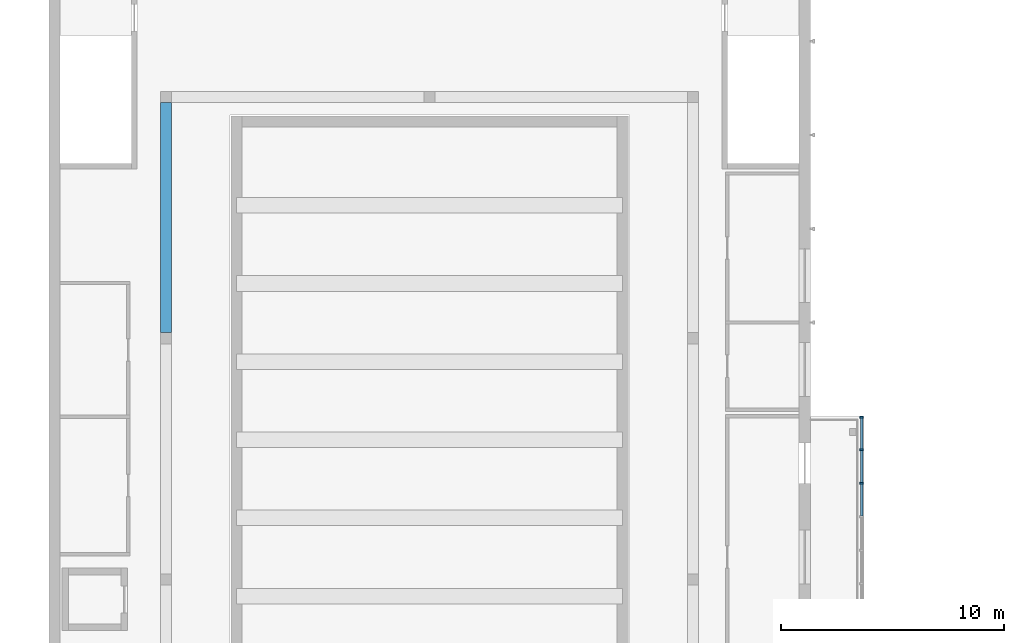
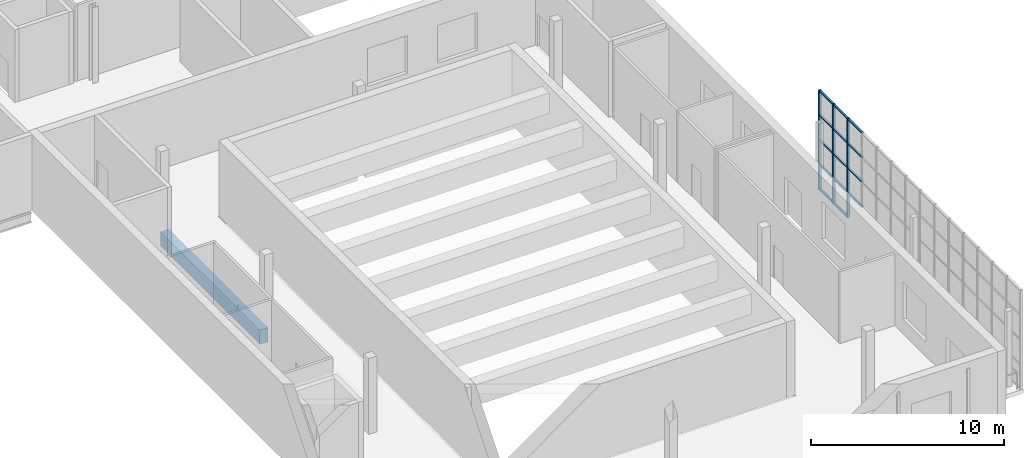
# One storey, part 17 of 116: 17 members, 1 beam, 1 element without a shape of its own.
"""IFC4 building model written with IfcOpenShell, lengths in metres."""

import ifcopenshell
import ifcopenshell.guid

model = None  # the IFC model being written
_history = None  # IfcOwnerHistory: only IFC2X3 demands one
_inside = {}  # id of a spatial element -> (the spatial element, [elements in it])
_under = {}  # id of a project, library or spatial element -> (it, [spatial elements below it])
_declared = {}  # id of a project -> (the project, [libraries it declares])
_typed = {}  # id of a type object -> (the type object, [elements of that type])
_made_of = {}  # id of a material, layer set ... -> (it, [elements and type objects made of it])


def new_model(schema):
    """Start an empty IFC model of exactly this schema.

    Asked for "IFC4X3", IfcOpenShell would pick the latest addendum, in which some entities
    have other attributes; the version numbers below select the first issue.
    IFC2X3 requires an IfcOwnerHistory on every rooted entity: one is made here for all.
    """
    global model, _history
    if schema == "IFC4X3":
        model = ifcopenshell.file(schema_version=(4, 3, 0, 0))
    else:
        model = ifcopenshell.file(schema=schema)
    _inside.clear()
    _under.clear()
    _declared.clear()
    _typed.clear()
    _made_of.clear()
    _history = None
    if model.schema == "IFC2X3":
        org = make("IfcOrganization", Name="unknown")
        user = make(
            "IfcPersonAndOrganization",
            ThePerson=make("IfcPerson", FamilyName="unknown"),
            TheOrganization=org,
        )
        app = make(
            "IfcApplication",
            ApplicationDeveloper=org,
            Version="unknown",
            ApplicationFullName="unknown",
            ApplicationIdentifier="unknown",
        )
        _history = make(
            "IfcOwnerHistory",
            OwningUser=user,
            OwningApplication=app,
            ChangeAction="ADDED",
            CreationDate=0,
        )
    return model


def make(cls, **values):
    """One entity of the class cls with the attributes given. An attribute that is None is left unset."""
    return model.create_entity(
        cls, **{name: value for name, value in values.items() if value is not None}
    )


def rooted(cls, **values):
    """An entity with a GlobalId (a new one), such as an element, a storey or a relation."""
    return make(cls, GlobalId=ifcopenshell.guid.new(), OwnerHistory=_history, **values)


def si_unit(unit_type, name, prefix=None):
    """IfcSIUnit, for example si_unit("LENGTHUNIT", "METRE", prefix="MILLI")."""
    return make("IfcSIUnit", UnitType=unit_type, Prefix=prefix, Name=name)


def assignment(units):
    """IfcUnitAssignment: the units of a project."""
    return None if units is None else make("IfcUnitAssignment", Units=units)


def point(xyz):
    """IfcCartesianPoint."""
    return None if xyz is None else make("IfcCartesianPoint", Coordinates=xyz)


def direction(xyz):
    """IfcDirection."""
    return None if xyz is None else make("IfcDirection", DirectionRatios=xyz)


def frame(location, z_axis=None, x_axis=None):
    """IfcAxis2Placement3D, a coordinate frame: its origin and axes. An axis left out is left unset."""
    return make(
        "IfcAxis2Placement3D",
        Location=point(location),
        Axis=direction(z_axis),
        RefDirection=direction(x_axis),
    )


def frame_2d(location, x_axis=None):
    """IfcAxis2Placement2D, a coordinate frame in the plane: its origin and x axis."""
    return make(
        "IfcAxis2Placement2D", Location=point(location), RefDirection=direction(x_axis)
    )


def origin():
    """The frame at (0, 0, 0) with its axes left unset."""
    return frame((0.0, 0.0, 0.0))


def origin_2d():
    """The frame at (0, 0) in the plane with its x axis left unset."""
    return frame_2d((0.0, 0.0))


def place(relative_to, where):
    """IfcLocalPlacement: puts the frame where relative to a parent placement (None: the world)."""
    return make(
        "IfcLocalPlacement", PlacementRelTo=relative_to, RelativePlacement=where
    )


def context(
    kind, dimensions, precision=None, world=None, true_north=None, identifier=None
):
    """IfcGeometricRepresentationContext, for example the 3D "Model" context."""
    return make(
        "IfcGeometricRepresentationContext",
        ContextIdentifier=identifier,
        ContextType=kind,
        CoordinateSpaceDimension=dimensions,
        Precision=precision,
        WorldCoordinateSystem=world,
        TrueNorth=true_north,
    )


def subcontext(parent, identifier, kind, view, scale=None):
    """IfcGeometricRepresentationSubContext, for example "Body" below "Model"."""
    return make(
        "IfcGeometricRepresentationSubContext",
        ContextIdentifier=identifier,
        ContextType=kind,
        ParentContext=parent,
        TargetScale=scale,
        TargetView=view,
    )


def project(units=None, contexts=None):
    """IfcProject with its units and contexts."""
    return rooted(
        "IfcProject",
        Name="project",
        RepresentationContexts=contexts,
        UnitsInContext=assignment(units),
    )


def spatial(cls, under=None, at=None, **own):
    """A site, building, storey or space (cls), placed at a placement, below another one or the project."""
    s = rooted(cls, ObjectPlacement=at, **own)
    if under is not None:
        _under.setdefault(under.id(), (under, []))[1].append(s)
    return s


def profile(cls, at=None, kind="AREA", **sizes):
    """A parametric profile (cls). Its sizes go by their IFC names, for example OverallWidth=200.0."""
    return make(cls, ProfileType=kind, Position=at, **sizes)


def rectangle(**sizes):
    """IfcRectangleProfileDef."""
    return profile("IfcRectangleProfileDef", **sizes)


def extrude(swept, where, along, depth):
    """IfcExtrudedAreaSolid: the profile swept, set in the frame where, extruded along a direction by depth."""
    return make(
        "IfcExtrudedAreaSolid",
        SweptArea=swept,
        Position=where,
        ExtrudedDirection=direction(along),
        Depth=depth,
    )


def shape(context_of_items, identifier, shape_type, items):
    """IfcShapeRepresentation: the items that make up one representation, for example the "Body"."""
    return make(
        "IfcShapeRepresentation",
        ContextOfItems=context_of_items,
        RepresentationIdentifier=identifier,
        RepresentationType=shape_type,
        Items=items,
    )


def material(Name=None, Category=None):
    """IfcMaterial."""
    return make("IfcMaterial", Name=Name, Category=Category)


def material_profile(
    of_material, cross_section, Name=None, Category=None, Priority=None
):
    """IfcMaterialProfile: a cross section and its material."""
    return make(
        "IfcMaterialProfile",
        Name=Name,
        Material=of_material,
        Profile=cross_section,
        Priority=Priority,
        Category=Category,
    )


def profile_set(profiles, Name=None, composite=None):
    """IfcMaterialProfileSet."""
    return make(
        "IfcMaterialProfileSet",
        Name=Name,
        MaterialProfiles=profiles,
        CompositeProfile=composite,
    )


def made_of(thing, what):
    """Note that an element or type object is made of a material, layer set ...; save() writes the relation."""
    if what is not None:
        _made_of.setdefault(what.id(), (what, []))[1].append(thing)
    return thing


def type_object(cls, material=None, **own):
    """A type object (cls), such as IfcWallType, which elements share."""
    return made_of(rooted(cls, **own), material)


def element(
    cls,
    number,
    at=None,
    inside=None,
    cuts=None,
    type_object=None,
    material=None,
    context=None,
    identifier="Body",
    shape_type=None,
    held_by="IfcProductDefinitionShape",
    body=None,
    shapes=None,
    **own,
):
    """One element of the class cls, such as IfcWall. Its Tag is "e" and its number.

    at: its placement. inside: the storey or other place that contains it. cuts: it is an
    opening in that element (IfcRelVoidsElement). A single representation is given by context,
    identifier, shape_type and body (its items); several are given by shapes. held_by: the class
    of the entity that holds the representations. save() writes the other relations.
    """
    e = rooted(cls, Tag="e%d" % number, ObjectPlacement=at, **own)
    if body is not None:
        shapes = [shape(context, identifier, shape_type, body)]
    if shapes is not None:
        e.Representation = make(held_by, Representations=shapes)
    if inside is not None:
        _inside.setdefault(inside.id(), (inside, []))[1].append(e)
    if cuts is not None:
        rooted(
            "IfcRelVoidsElement", RelatingBuildingElement=cuts, RelatedOpeningElement=e
        )
    if type_object is not None:
        _typed.setdefault(type_object.id(), (type_object, []))[1].append(e)
    return made_of(e, material)


def aggregate(whole, parts):
    """IfcRelAggregates: a whole, such as a stair, and the parts it consists of."""
    return rooted("IfcRelAggregates", RelatingObject=whole, RelatedObjects=parts)


def save(model, path):
    """Write the relations noted so far, then the file.

    IfcRelAggregates (storeys below a building ...), IfcRelContainedInSpatialStructure (elements
    in a storey), IfcRelDefinesByType, IfcRelAssociatesMaterial and IfcRelDeclares: one each for
    every whole, place, type object, material and project.
    """
    for whole, parts in _under.values():
        aggregate(whole, parts)
    for where, things in _inside.values():
        rooted(
            "IfcRelContainedInSpatialStructure",
            RelatedElements=things,
            RelatingStructure=where,
        )
    for kind, things in _typed.values():
        rooted("IfcRelDefinesByType", RelatedObjects=things, RelatingType=kind)
    for what, things in _made_of.values():
        rooted("IfcRelAssociatesMaterial", RelatedObjects=things, RelatingMaterial=what)
    for by, libraries in _declared.values():
        rooted("IfcRelDeclares", RelatingContext=by, RelatedDefinitions=libraries)
    model.write(path)


model = new_model("IFC4")

# Units and contexts
model_context = context("Model", 3, precision=1e-05, world=origin(), true_north=direction((0.0, 1.0)))
body_context = subcontext(model_context, "Body", "Model", "MODEL_VIEW")
ifc_project = project(units=[si_unit("LENGTHUNIT", "METRE"), si_unit("AREAUNIT", "SQUARE_METRE"), si_unit("VOLUMEUNIT", "CUBIC_METRE"), si_unit("PLANEANGLEUNIT", "RADIAN"), si_unit("MASSUNIT", "GRAM", prefix="KILO")], contexts=[model_context])

# Site, building, storey
site_placement = place(None, origin())
site = spatial("IfcSite", under=ifc_project, at=site_placement, CompositionType="ELEMENT")
building_placement = place(site_placement, origin())
building = spatial("IfcBuilding", under=site, at=building_placement, Name="Ljudholm Concert House", CompositionType="ELEMENT")
storey_placement = place(building_placement, frame((0.0, 0.0, 10.199951171875)))
storey = spatial("IfcBuildingStorey", under=building, at=storey_placement, Name="L02", CompositionType="ELEMENT", Elevation=10.199951171875)

# Curtain wall, members
ifc_material_1 = material(Name="Aluminium curtain wall with fixed aluminium storm louvre blades, timber-grain pvdf finish", Category="aluminium")
curtain_wall_type = type_object("IfcCurtainWallType", Name="CURTAIN WALL 1500", PredefinedType="NOTDEFINED", material=ifc_material_1)
curtain_wall_placement = place(storey_placement, origin())
curtain_wall = element("IfcCurtainWall", 1, at=curtain_wall_placement, inside=storey, type_object=curtain_wall_type, Name="Storm louvre screen", PredefinedType="NOTDEFINED")
ifc_material_2 = material(Name="Aluminium extrusion", Category="aluminium")
ifc_material_profile_1 = material_profile(ifc_material_2, rectangle(XDim=0.159912109375, YDim=0.080078125, at=origin_2d()), Name="MULLION 80x160")
ifc_profile_set_1 = profile_set([ifc_material_profile_1], Name="Aluminium extrusion")
member_type_1 = type_object("IfcMemberType", Name="MULLION 80x160", PredefinedType="MULLION", material=ifc_profile_set_1)
member_1_placement = place(storey_placement, frame((48.550048828125, 24.10009765625, 0.0), z_axis=(0.0, 0.0, 1.0), x_axis=(-1.0, 0.0, 0.0)))
member_1 = element("IfcMember", 2, at=member_1_placement, type_object=member_type_1, Name="Mullion", PredefinedType="MULLION", context=body_context, shape_type="SweptSolid", body=[
    extrude(rectangle(XDim=0.159912109375, YDim=0.080078125, at=origin_2d()), origin(), (0.0, 0.0, 1.0), 6.29931640625),
])
member_2_placement = place(storey_placement, frame((48.550048828125, 25.60009765625, 0.0), z_axis=(0.0, 0.0, 1.0), x_axis=(-1.0, 0.0, 0.0)))
member_2 = element("IfcMember", 3, at=member_2_placement, type_object=member_type_1, Name="Mullion", PredefinedType="MULLION", context=body_context, shape_type="SweptSolid", body=[
    extrude(rectangle(XDim=0.159912109375, YDim=0.080078125, at=origin_2d()), origin(), (0.0, 0.0, 1.0), 6.29931640625),
])
member_3_placement = place(storey_placement, frame((48.550048828125, 27.06005859375, 0.0), z_axis=(0.0, 0.0, 1.0), x_axis=(-1.0, 0.0, 0.0)))
member_3 = element("IfcMember", 4, at=member_3_placement, type_object=member_type_1, Name="Mullion", PredefinedType="MULLION", context=body_context, shape_type="SweptSolid", body=[
    extrude(rectangle(XDim=0.159912109375, YDim=0.080078125, at=origin_2d()), origin(), (0.0, 0.0, 1.0), 6.29931640625),
])

# Beam
ifc_material_3 = material(Name="Concrete 6,500 psi", Category="concrete")
ifc_material_profile_2 = material_profile(ifc_material_3, rectangle(XDim=0.5, YDim=0.89990234375, at=origin_2d()), Name="RC BEAM 500x900")
ifc_profile_set_2 = profile_set([ifc_material_profile_2], Name="Concrete 6,500 psi")
beam_type = type_object("IfcBeamType", Name="RC BEAM 500x900", PredefinedType="BEAM", material=ifc_profile_set_2)
beam_placement = place(storey_placement, frame((17.39990234375, 30.85009765625, -0.699951171875), z_axis=(0.0, 1.0, 0.0), x_axis=(-1.0, 0.0, 0.0)))
element("IfcBeam", 5, at=beam_placement, inside=storey, type_object=beam_type, Name="Ring beam", PredefinedType="BEAM", context=body_context, shape_type="SweptSolid", body=[
    extrude(rectangle(XDim=0.5, YDim=0.89990234375, at=origin_2d()), origin(), (0.0, 0.0, 1.0), 10.2998046875),
])

# Member
ifc_material_4 = material(Name="Aluminium extrusion", Category="aluminium")
ifc_material_profile_3 = material_profile(ifc_material_4, rectangle(XDim=0.1201171875, YDim=0.080078125, at=origin_2d()), Name="TRANSOM 80x120")
ifc_profile_set_3 = profile_set([ifc_material_profile_3], Name="Aluminium extrusion")
member_type_2 = type_object("IfcMemberType", Name="TRANSOM 80x120", PredefinedType="USERDEFINED", material=ifc_profile_set_3)
member_4_placement = place(storey_placement, frame((48.550048828125, 22.639892578125, 1.574951171875), z_axis=(0.0, 1.0, 0.0), x_axis=(-1.0, 0.0, 0.0)))
member_4 = element("IfcMember", 6, at=member_4_placement, type_object=member_type_2, Name="Transom", ObjectType="TRANSOM", PredefinedType="USERDEFINED", context=body_context, shape_type="SweptSolid", body=[
    extrude(rectangle(XDim=0.1201171875, YDim=0.080078125, at=origin_2d()), origin(), (0.0, 0.0, 1.0), 1.420166015625),
])

member_5_placement = place(storey_placement, frame((48.550048828125, 22.639892578125, 3.149658203125), z_axis=(0.0, 1.0, 0.0), x_axis=(-1.0, 0.0, 0.0)))
member_5 = element("IfcMember", 7, at=member_5_placement, type_object=member_type_2, Name="Transom", ObjectType="TRANSOM", PredefinedType="USERDEFINED", context=body_context, shape_type="SweptSolid", body=[
    extrude(rectangle(XDim=0.1201171875, YDim=0.080078125, at=origin_2d()), origin(), (0.0, 0.0, 1.0), 1.420166015625),
])

member_6_placement = place(storey_placement, frame((48.550048828125, 22.639892578125, 4.724365234375), z_axis=(0.0, 1.0, 0.0), x_axis=(-1.0, 0.0, 0.0)))
member_6 = element("IfcMember", 8, at=member_6_placement, type_object=member_type_2, Name="Transom", ObjectType="TRANSOM", PredefinedType="USERDEFINED", context=body_context, shape_type="SweptSolid", body=[
    extrude(rectangle(XDim=0.1201171875, YDim=0.080078125, at=origin_2d()), origin(), (0.0, 0.0, 1.0), 1.420166015625),
])

member_7_placement = place(storey_placement, frame((48.550048828125, 22.639892578125, 6.25927734375), z_axis=(0.0, 1.0, 0.0), x_axis=(-1.0, 0.0, 0.0)))
member_7 = element("IfcMember", 9, at=member_7_placement, type_object=member_type_2, Name="Transom", ObjectType="TRANSOM", PredefinedType="USERDEFINED", context=body_context, shape_type="SweptSolid", body=[
    extrude(rectangle(XDim=0.1201171875, YDim=0.080078125, at=origin_2d()), origin(), (0.0, 0.0, 1.0), 1.420166015625),
])

member_8_placement = place(storey_placement, frame((48.550048828125, 24.139892578125, 0.0400390625), z_axis=(0.0, 1.0, 0.0), x_axis=(-1.0, 0.0, 0.0)))
member_8 = element("IfcMember", 10, at=member_8_placement, type_object=member_type_2, Name="Transom", ObjectType="TRANSOM", PredefinedType="USERDEFINED", context=body_context, shape_type="SweptSolid", body=[
    extrude(rectangle(XDim=0.1201171875, YDim=0.080078125, at=origin_2d()), origin(), (0.0, 0.0, 1.0), 1.420166015625),
])

member_9_placement = place(storey_placement, frame((48.550048828125, 24.139892578125, 1.574951171875), z_axis=(0.0, 1.0, 0.0), x_axis=(-1.0, 0.0, 0.0)))
member_9 = element("IfcMember", 11, at=member_9_placement, type_object=member_type_2, Name="Transom", ObjectType="TRANSOM", PredefinedType="USERDEFINED", context=body_context, shape_type="SweptSolid", body=[
    extrude(rectangle(XDim=0.1201171875, YDim=0.080078125, at=origin_2d()), origin(), (0.0, 0.0, 1.0), 1.420166015625),
])

member_10_placement = place(storey_placement, frame((48.550048828125, 24.139892578125, 3.149658203125), z_axis=(0.0, 1.0, 0.0), x_axis=(-1.0, 0.0, 0.0)))
member_10 = element("IfcMember", 12, at=member_10_placement, type_object=member_type_2, Name="Transom", ObjectType="TRANSOM", PredefinedType="USERDEFINED", context=body_context, shape_type="SweptSolid", body=[
    extrude(rectangle(XDim=0.1201171875, YDim=0.080078125, at=origin_2d()), origin(), (0.0, 0.0, 1.0), 1.420166015625),
])

member_11_placement = place(storey_placement, frame((48.550048828125, 24.139892578125, 4.724365234375), z_axis=(0.0, 1.0, 0.0), x_axis=(-1.0, 0.0, 0.0)))
member_11 = element("IfcMember", 13, at=member_11_placement, type_object=member_type_2, Name="Transom", ObjectType="TRANSOM", PredefinedType="USERDEFINED", context=body_context, shape_type="SweptSolid", body=[
    extrude(rectangle(XDim=0.1201171875, YDim=0.080078125, at=origin_2d()), origin(), (0.0, 0.0, 1.0), 1.420166015625),
])

member_12_placement = place(storey_placement, frame((48.550048828125, 24.139892578125, 6.25927734375), z_axis=(0.0, 1.0, 0.0), x_axis=(-1.0, 0.0, 0.0)))
member_12 = element("IfcMember", 14, at=member_12_placement, type_object=member_type_2, Name="Transom", ObjectType="TRANSOM", PredefinedType="USERDEFINED", context=body_context, shape_type="SweptSolid", body=[
    extrude(rectangle(XDim=0.1201171875, YDim=0.080078125, at=origin_2d()), origin(), (0.0, 0.0, 1.0), 1.420166015625),
])

member_13_placement = place(storey_placement, frame((48.550048828125, 25.639892578125, 0.0400390625), z_axis=(0.0, 1.0, 0.0), x_axis=(-1.0, 0.0, 0.0)))
member_13 = element("IfcMember", 15, at=member_13_placement, type_object=member_type_2, Name="Transom", ObjectType="TRANSOM", PredefinedType="USERDEFINED", context=body_context, shape_type="SweptSolid", body=[
    extrude(rectangle(XDim=0.1201171875, YDim=0.080078125, at=origin_2d()), origin(), (0.0, 0.0, 1.0), 1.380126953125),
])

member_14_placement = place(storey_placement, frame((48.550048828125, 25.639892578125, 1.574951171875), z_axis=(0.0, 1.0, 0.0), x_axis=(-1.0, 0.0, 0.0)))
member_14 = element("IfcMember", 16, at=member_14_placement, type_object=member_type_2, Name="Transom", ObjectType="TRANSOM", PredefinedType="USERDEFINED", context=body_context, shape_type="SweptSolid", body=[
    extrude(rectangle(XDim=0.1201171875, YDim=0.080078125, at=origin_2d()), origin(), (0.0, 0.0, 1.0), 1.380126953125),
])

member_15_placement = place(storey_placement, frame((48.550048828125, 25.639892578125, 3.149658203125), z_axis=(0.0, 1.0, 0.0), x_axis=(-1.0, 0.0, 0.0)))
member_15 = element("IfcMember", 17, at=member_15_placement, type_object=member_type_2, Name="Transom", ObjectType="TRANSOM", PredefinedType="USERDEFINED", context=body_context, shape_type="SweptSolid", body=[
    extrude(rectangle(XDim=0.1201171875, YDim=0.080078125, at=origin_2d()), origin(), (0.0, 0.0, 1.0), 1.380126953125),
])

member_16_placement = place(storey_placement, frame((48.550048828125, 25.639892578125, 4.724365234375), z_axis=(0.0, 1.0, 0.0), x_axis=(-1.0, 0.0, 0.0)))
member_16 = element("IfcMember", 18, at=member_16_placement, type_object=member_type_2, Name="Transom", ObjectType="TRANSOM", PredefinedType="USERDEFINED", context=body_context, shape_type="SweptSolid", body=[
    extrude(rectangle(XDim=0.1201171875, YDim=0.080078125, at=origin_2d()), origin(), (0.0, 0.0, 1.0), 1.380126953125),
])

member_17_placement = place(storey_placement, frame((48.550048828125, 25.639892578125, 6.25927734375), z_axis=(0.0, 1.0, 0.0), x_axis=(-1.0, 0.0, 0.0)))
member_17 = element("IfcMember", 19, at=member_17_placement, type_object=member_type_2, Name="Transom", ObjectType="TRANSOM", PredefinedType="USERDEFINED", context=body_context, shape_type="SweptSolid", body=[
    extrude(rectangle(XDim=0.1201171875, YDim=0.080078125, at=origin_2d()), origin(), (0.0, 0.0, 1.0), 1.380126953125),
])

aggregate(curtain_wall, [member_1, member_2, member_3, member_4, member_5, member_6, member_7, member_8, member_9, member_10, member_11, member_12, member_13, member_14, member_15, member_16, member_17])

save(model, "model.ifc")
